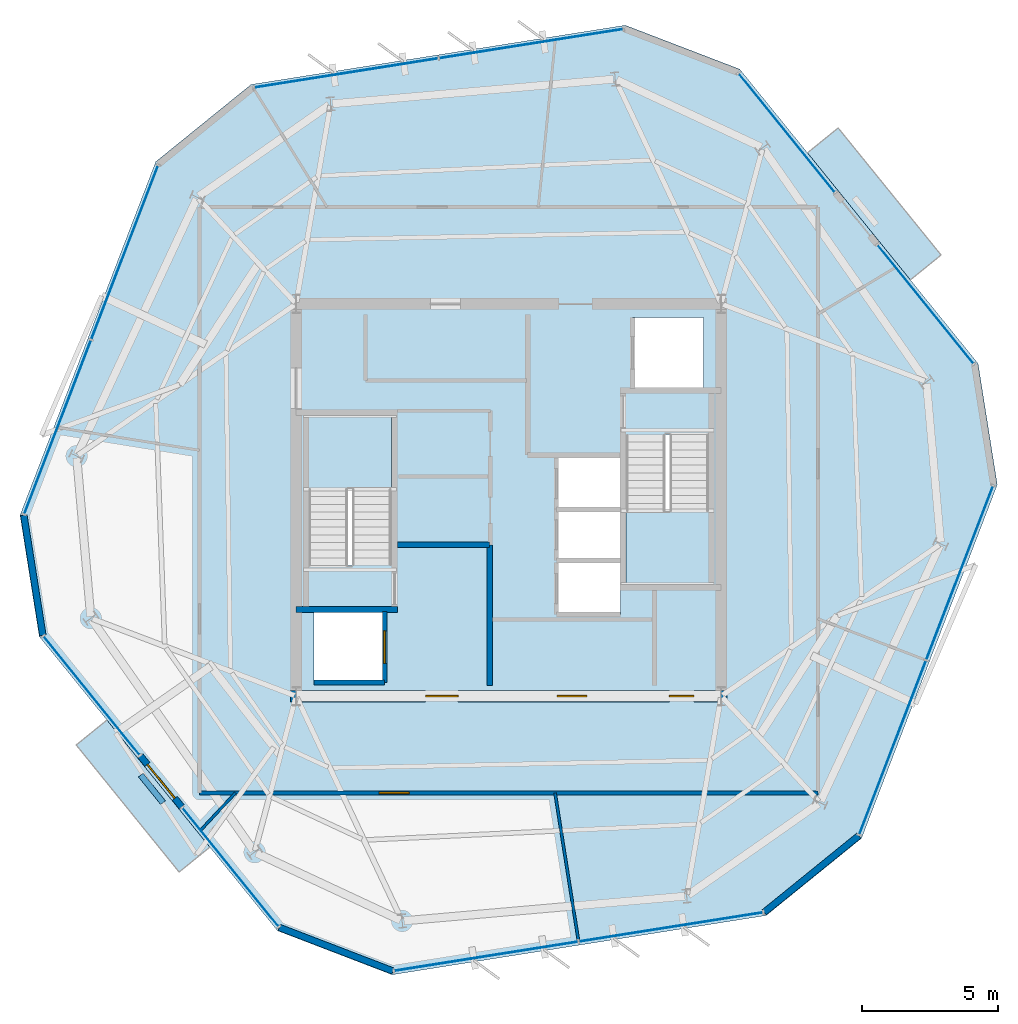
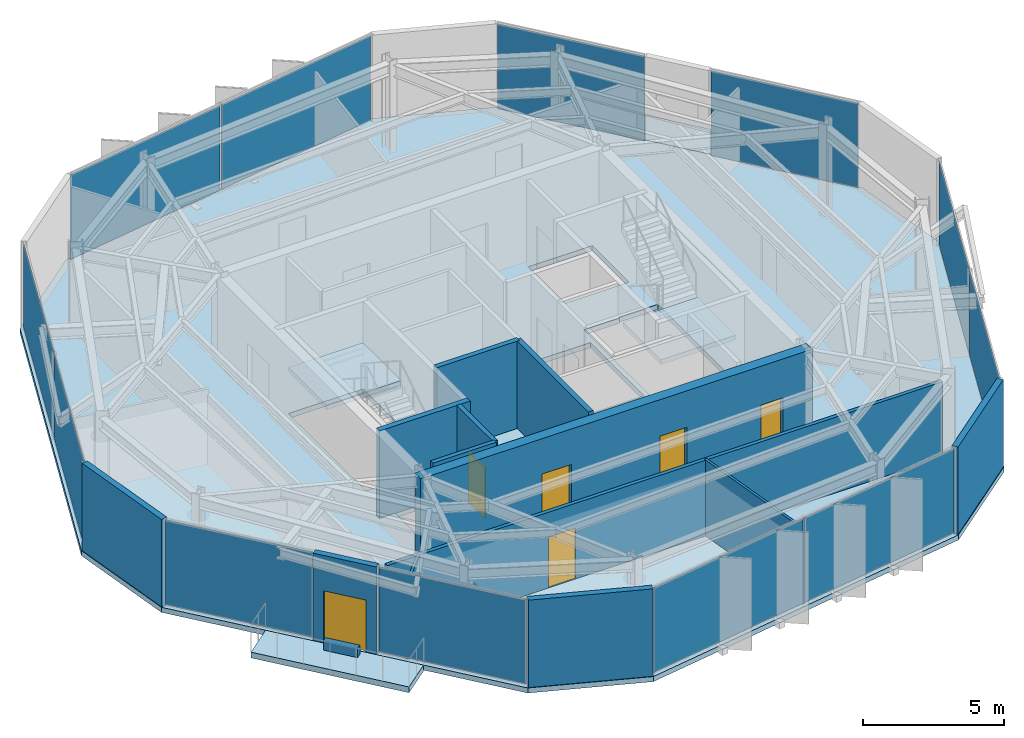
# One storey, part 6 of 10: 14 walls, 12 plates, 6 doors, 5 slabs, 6 openings, 10 elements without a shape of their own.
"""IFC4 building model written with IfcOpenShell, lengths in metres."""

from ifc_helpers import new_model, si_unit, direction, frame, frame_2d, origin, origin_2d, place, context, subcontext, project, spatial, polyline, rectangle, outline, extrude, material, layer, layer_set, type_object, element, fill, aggregate, save


model = new_model("IFC4")

# Units and contexts
model_context = context("Model", 3, precision=1e-05, world=origin(), true_north=direction((0.0, 1.0)))
body_context = subcontext(model_context, "Body", "Model", "MODEL_VIEW")
ifc_project = project(units=[si_unit("LENGTHUNIT", "METRE"), si_unit("AREAUNIT", "SQUARE_METRE"), si_unit("VOLUMEUNIT", "CUBIC_METRE"), si_unit("PLANEANGLEUNIT", "RADIAN"), si_unit("MASSUNIT", "GRAM", prefix="KILO")], contexts=[model_context])

# Site, building, storey
site_placement = place(None, origin())
site = spatial("IfcSite", under=ifc_project, at=site_placement, CompositionType="ELEMENT")
building_placement = place(site_placement, origin())
building = spatial("IfcBuilding", under=site, at=building_placement, Name="Kranzbogen Civic Tower", CompositionType="ELEMENT")
storey_placement = place(building_placement, frame((0.0, 0.0, 302.199951171875)))
storey = spatial("IfcBuildingStorey", under=building, at=storey_placement, Name="L73", CompositionType="ELEMENT", Elevation=302.199951171875)

# Slab
ifc_material_1 = material(Name="Concrete C40/50", Category="concrete")
ifc_layer_1 = layer(ifc_material_1, 0.219970703125, Name="Concrete C40/50")
ifc_layer_set_1 = layer_set([ifc_layer_1], Name="Concrete C40/50")
slab_type_1 = type_object("IfcSlabType", Name="Composite Upper Tower Floor Slab 220 mm", PredefinedType="FLOOR", material=ifc_layer_set_1)
slab_1_placement = place(storey_placement, frame((0.0, 0.0, -0.219970703125)))
element("IfcSlab", 1, at=slab_1_placement, inside=storey, type_object=slab_type_1, Name="L73 tower floor slab", PredefinedType="FLOOR", context=body_context, shape_type="SweptSolid", body=[
    extrude(outline(polyline([(29.279052734375, 42.425048828125), (15.5458984375, 40.25), (12.049072265625, 37.41796875), (7.06591796875, 24.43798828125), (7.77001953125, 19.992919921875), (16.52001953125, 9.18701171875), (20.720947265625, 7.574951171875), (34.4541015625, 9.75), (37.950927734375, 12.58203125), (42.93408203125, 25.56201171875), (42.22998046875, 30.007080078125), (33.47998046875, 40.81298828125), (29.279052734375, 42.425048828125)]), holes=[polyline([(17.85009765625, 20.89990234375), (20.449951171875, 20.89990234375), (20.449951171875, 18.300048828125), (17.85009765625, 18.300048828125), (17.85009765625, 20.89990234375)]), polyline([(29.10009765625, 22.699951171875), (29.10009765625, 20.800048828125), (26.75, 20.800048828125), (26.75, 22.699951171875), (29.10009765625, 22.699951171875)]), polyline([(29.10009765625, 24.64990234375), (29.10009765625, 22.77490234375), (26.75, 22.77490234375), (26.75, 24.64990234375), (26.75, 24.675048828125), (26.75, 26.550048828125), (29.10009765625, 26.550048828125), (29.10009765625, 24.675048828125), (29.10009765625, 24.64990234375)]), polyline([(29.300048828125, 27.340087890625), (30.75, 27.340087890625), (30.75, 27.39990234375), (32.35009765625, 27.39990234375), (32.35009765625, 21.89990234375), (29.300048828125, 21.89990234375), (29.300048828125, 27.340087890625)]), polyline([(20.699951171875, 22.659912109375), (19.25, 22.659912109375), (19.25, 22.60009765625), (17.64990234375, 22.60009765625), (17.64990234375, 28.10009765625), (20.699951171875, 28.10009765625), (20.699951171875, 22.659912109375)]), polyline([(32.14990234375, 31.699951171875), (32.14990234375, 29.10009765625), (29.550048828125, 29.10009765625), (29.550048828125, 31.699951171875), (32.14990234375, 31.699951171875)])]), origin(), (0.0, 0.0, 1.0), 0.219970703125),
])

# Curtain wall, plates
ifc_material_2 = material(Name="Pale Anodised Aluminium", Category="aluminium")
ifc_layer_2 = layer(ifc_material_2, 0.219970703125, Name="Pale Anodised Aluminium")
ifc_layer_set_2 = layer_set([ifc_layer_2], Name="Pale Anodised Aluminium")
curtain_wall_type = type_object("IfcCurtainWallType", Name="Zone 4 Stick Curtain Wall System CW-05", PredefinedType="USERDEFINED", material=ifc_layer_set_2)
curtain_wall_1_placement = place(storey_placement, origin())
curtain_wall_1 = element("IfcCurtainWall", 2, at=curtain_wall_1_placement, inside=storey, type_object=curtain_wall_type, Name="L73 curtain wall CW-L73-F1", ObjectType="STICK CURTAIN WALL", PredefinedType="USERDEFINED")
ifc_material_3 = material(Name="Low-E Triple Glazing Glass", Category="glass")
ifc_layer_3 = layer(ifc_material_3, 0.028076171875, Name="Low-E Triple Glazing Glass")
ifc_layer_set_3 = layer_set([ifc_layer_3], Name="Low-E Triple Glazing Glass")
plate_type = type_object("IfcPlateType", Name="Insulated Low-E Glazing Panel 28 mm", PredefinedType="CURTAIN_PANEL", material=ifc_layer_set_3)
plate_1_placement = place(storey_placement, frame((25.82470703125, 41.7470703125, 0.06005859375), z_axis=(0.0, 0.0, 1.0), x_axis=(-0.987689979988, -0.156424113968, 0.0)))
plate_1 = element("IfcPlate", 3, at=plate_1_placement, type_object=plate_type, Name="CW-05 panel 1.1", PredefinedType="CURTAIN_PANEL", context=body_context, shape_type="SweptSolid", body=[
    extrude(rectangle(XDim=6.807861328125, YDim=0.028076171875, at=origin_2d()), origin(), (0.0, 0.0, 1.0), 3.659912109375),
])
plate_2_placement = place(storey_placement, frame((19.041259765625, 40.6728515625, 0.06005859375), z_axis=(0.0, 0.0, 1.0), x_axis=(-0.987689979988, -0.156424113968, 0.0)))
plate_2 = element("IfcPlate", 4, at=plate_2_placement, type_object=plate_type, Name="CW-05 panel 2.1", PredefinedType="CURTAIN_PANEL", context=body_context, shape_type="SweptSolid", body=[
    extrude(rectangle(XDim=6.807861328125, YDim=0.028076171875, at=origin_2d()), origin(), (0.0, 0.0, 1.0), 3.659912109375),
])
aggregate(curtain_wall_1, [plate_1, plate_2])

curtain_wall_2_placement = place(storey_placement, origin())
curtain_wall_2 = element("IfcCurtainWall", 5, at=curtain_wall_2_placement, inside=storey, type_object=curtain_wall_type, Name="L73 curtain wall CW-L73-F2", ObjectType="STICK CURTAIN WALL", PredefinedType="USERDEFINED")
plate_3_placement = place(storey_placement, frame((10.90869140625, 34.087158203125, 0.06005859375), z_axis=(0.0, 0.0, 1.0), x_axis=(-0.358381538796, -0.933575209959, 0.0)))
plate_3 = element("IfcPlate", 6, at=plate_3_placement, type_object=plate_type, Name="CW-05 panel 1.1", PredefinedType="CURTAIN_PANEL", context=body_context, shape_type="SweptSolid", body=[
    extrude(rectangle(XDim=6.8076171875, YDim=0.028076171875, at=origin_2d()), origin(), (0.0, 0.0, 1.0), 3.659912109375),
])
plate_4_placement = place(storey_placement, frame((8.447265625, 27.67578125, 0.06005859375), z_axis=(0.0, 0.0, 1.0), x_axis=(-0.358381538796, -0.933575209959, 0.0)))
plate_4 = element("IfcPlate", 7, at=plate_4_placement, type_object=plate_type, Name="CW-05 panel 2.1", PredefinedType="CURTAIN_PANEL", context=body_context, shape_type="SweptSolid", body=[
    extrude(rectangle(XDim=6.8076171875, YDim=0.028076171875, at=origin_2d()), origin(), (0.0, 0.0, 1.0), 3.659912109375),
])
aggregate(curtain_wall_2, [plate_3, plate_4])

# Curtain wall, plate
curtain_wall_3_placement = place(storey_placement, origin())
curtain_wall_3 = element("IfcCurtainWall", 8, at=curtain_wall_3_placement, inside=storey, type_object=curtain_wall_type, Name="L73 curtain wall CW-L73-F3-S1", ObjectType="STICK CURTAIN WALL", PredefinedType="USERDEFINED")
plate_5_placement = place(storey_placement, frame((9.696533203125, 17.818115234375, 0.06005859375), z_axis=(0.0, 0.0, 1.0), x_axis=(0.62924367077, -0.777208082045, 0.0)))
plate_5 = element("IfcPlate", 9, at=plate_5_placement, type_object=plate_type, Name="CW-05 panel 1.1", PredefinedType="CURTAIN_PANEL", context=body_context, shape_type="SweptSolid", body=[
    extrude(rectangle(XDim=5.577392578125, YDim=0.028076171875, at=origin_2d()), origin(), (0.0, 0.0, 1.0), 3.659912109375),
])
aggregate(curtain_wall_3, [plate_5])

curtain_wall_4_placement = place(storey_placement, origin())
curtain_wall_4 = element("IfcCurtainWall", 10, at=curtain_wall_4_placement, inside=storey, type_object=curtain_wall_type, Name="L73 curtain wall CW-L73-F3-S2", ObjectType="STICK CURTAIN WALL", PredefinedType="USERDEFINED")
plate_6_placement = place(storey_placement, frame((14.79296875, 11.5244140625, 0.06005859375), z_axis=(0.0, 0.0, 1.0), x_axis=(0.62926385036, -0.777191743799, 0.0)))
plate_6 = element("IfcPlate", 11, at=plate_6_placement, type_object=plate_type, Name="CW-05 panel 1.1", PredefinedType="CURTAIN_PANEL", context=body_context, shape_type="SweptSolid", body=[
    extrude(rectangle(XDim=5.57861328125, YDim=0.028076171875, at=origin_2d()), origin(), (0.0, 0.0, 1.0), 3.659912109375),
])
aggregate(curtain_wall_4, [plate_6])

# Curtain wall, plates
curtain_wall_5_placement = place(storey_placement, origin())
curtain_wall_5 = element("IfcCurtainWall", 12, at=curtain_wall_5_placement, inside=storey, type_object=curtain_wall_type, Name="L73 curtain wall CW-L73-F4", ObjectType="STICK CURTAIN WALL", PredefinedType="USERDEFINED")
plate_7_placement = place(storey_placement, frame((24.17529296875, 8.2529296875, 0.06005859375), z_axis=(0.0, 0.0, 1.0), x_axis=(0.987689979988, 0.156424113968, 0.0)))
plate_7 = element("IfcPlate", 13, at=plate_7_placement, type_object=plate_type, Name="CW-05 panel 1.1", PredefinedType="CURTAIN_PANEL", context=body_context, shape_type="SweptSolid", body=[
    extrude(rectangle(XDim=6.807861328125, YDim=0.028076171875, at=origin_2d()), origin(), (0.0, 0.0, 1.0), 3.659912109375),
])
plate_8_placement = place(storey_placement, frame((30.958740234375, 9.3271484375, 0.06005859375), z_axis=(0.0, 0.0, 1.0), x_axis=(0.987689979988, 0.156424113968, 0.0)))
plate_8 = element("IfcPlate", 14, at=plate_8_placement, type_object=plate_type, Name="CW-05 panel 2.1", PredefinedType="CURTAIN_PANEL", context=body_context, shape_type="SweptSolid", body=[
    extrude(rectangle(XDim=6.807861328125, YDim=0.028076171875, at=origin_2d()), origin(), (0.0, 0.0, 1.0), 3.659912109375),
])
aggregate(curtain_wall_5, [plate_7, plate_8])

curtain_wall_6_placement = place(storey_placement, origin())
curtain_wall_6 = element("IfcCurtainWall", 15, at=curtain_wall_6_placement, inside=storey, type_object=curtain_wall_type, Name="L73 curtain wall CW-L73-F5", ObjectType="STICK CURTAIN WALL", PredefinedType="USERDEFINED")
plate_9_placement = place(storey_placement, frame((39.09130859375, 15.912841796875, 0.06005859375), z_axis=(0.0, 0.0, 1.0), x_axis=(0.358381538796, 0.933575209959, 0.0)))
plate_9 = element("IfcPlate", 16, at=plate_9_placement, type_object=plate_type, Name="CW-05 panel 1.1", PredefinedType="CURTAIN_PANEL", context=body_context, shape_type="SweptSolid", body=[
    extrude(rectangle(XDim=6.8076171875, YDim=0.028076171875, at=origin_2d()), origin(), (0.0, 0.0, 1.0), 3.659912109375),
])
plate_10_placement = place(storey_placement, frame((41.552734375, 22.32421875, 0.06005859375), z_axis=(0.0, 0.0, 1.0), x_axis=(0.358381538796, 0.933575209959, 0.0)))
plate_10 = element("IfcPlate", 17, at=plate_10_placement, type_object=plate_type, Name="CW-05 panel 2.1", PredefinedType="CURTAIN_PANEL", context=body_context, shape_type="SweptSolid", body=[
    extrude(rectangle(XDim=6.8076171875, YDim=0.028076171875, at=origin_2d()), origin(), (0.0, 0.0, 1.0), 3.659912109375),
])
aggregate(curtain_wall_6, [plate_9, plate_10])

# Curtain wall, plate
curtain_wall_7_placement = place(storey_placement, origin())
curtain_wall_7 = element("IfcCurtainWall", 18, at=curtain_wall_7_placement, inside=storey, type_object=curtain_wall_type, Name="L73 curtain wall CW-L73-F6-S1", ObjectType="STICK CURTAIN WALL", PredefinedType="USERDEFINED")
plate_11_placement = place(storey_placement, frame((40.302978515625, 32.181884765625, 0.06005859375), z_axis=(0.0, 0.0, 1.0), x_axis=(-0.629349677234, 0.777122245059, 0.0)))
plate_11 = element("IfcPlate", 19, at=plate_11_placement, type_object=plate_type, Name="CW-05 panel 1.1", PredefinedType="CURTAIN_PANEL", context=body_context, shape_type="SweptSolid", body=[
    extrude(rectangle(XDim=5.577880859375, YDim=0.028076171875, at=origin_2d()), origin(), (0.0, 0.0, 1.0), 3.659912109375),
])
aggregate(curtain_wall_7, [plate_11])

curtain_wall_8_placement = place(storey_placement, origin())
curtain_wall_8 = element("IfcCurtainWall", 20, at=curtain_wall_8_placement, inside=storey, type_object=curtain_wall_type, Name="L73 curtain wall CW-L73-F6-S2", ObjectType="STICK CURTAIN WALL", PredefinedType="USERDEFINED")
plate_12_placement = place(storey_placement, frame((35.20703125, 38.47607421875, 0.06005859375), z_axis=(0.0, 0.0, 1.0), x_axis=(-0.629349677234, 0.777122245059, 0.0)))
plate_12 = element("IfcPlate", 21, at=plate_12_placement, type_object=plate_type, Name="CW-05 panel 1.1", PredefinedType="CURTAIN_PANEL", context=body_context, shape_type="SweptSolid", body=[
    extrude(rectangle(XDim=5.577880859375, YDim=0.028076171875, at=origin_2d()), origin(), (0.0, 0.0, 1.0), 3.659912109375),
])
aggregate(curtain_wall_8, [plate_12])

# Stair, slab
ifc_material_4 = material(Name="Precast concrete C40/50", Category="concrete")
stair_type_1 = type_object("IfcStairType", Name="Tower Core Pressurized Dogleg Stair 1450", PredefinedType="HALF_TURN_STAIR", material=ifc_material_4)
stair_1_placement = place(storey_placement, origin())
stair_1 = element("IfcStair", 22, at=stair_1_placement, inside=storey, type_object=stair_type_1, Name="L73 Tower Core Pressurized Stair 1", PredefinedType="HALF_TURN_STAIR")
ifc_layer_4 = layer(ifc_material_4, 0.199951171875, Name="Precast concrete C40/50")
ifc_layer_set_4 = layer_set([ifc_layer_4], Name="Precast concrete C40/50")
slab_type_2 = type_object("IfcSlabType", Name="Precast Concrete Stair Landing Slab 200 mm", PredefinedType="LANDING", material=ifc_layer_set_4)
slab_2_placement = place(storey_placement, frame((0.0, 0.0, 1.800048828125)))
slab_2 = element("IfcSlab", 23, at=slab_2_placement, type_object=slab_type_2, Name="ST-T1 landing 1", PredefinedType="LANDING", context=body_context, shape_type="SweptSolid", body=[
    extrude(outline(polyline([(20.699951171875, 25.39990234375), (20.699951171875, 28.10009765625), (17.64990234375, 28.10009765625), (17.64990234375, 25.39990234375), (20.699951171875, 25.39990234375)])), origin(), (0.0, 0.0, 1.0), 0.199951171875),
])
aggregate(stair_1, [slab_2])

stair_type_2 = type_object("IfcStairType", Name="Tower Core Secondary Dogleg Stair 1450", PredefinedType="HALF_TURN_STAIR", material=ifc_material_4)
stair_2_placement = place(storey_placement, origin())
stair_2 = element("IfcStair", 24, at=stair_2_placement, inside=storey, type_object=stair_type_2, Name="L73 Tower Core Pressurized Stair 2", PredefinedType="HALF_TURN_STAIR")
slab_3_placement = place(storey_placement, frame((0.0, 0.0, 1.800048828125)))
slab_3 = element("IfcSlab", 25, at=slab_3_placement, type_object=slab_type_2, Name="ST-T2 landing 1", PredefinedType="LANDING", context=body_context, shape_type="SweptSolid", body=[
    extrude(outline(polyline([(29.300048828125, 24.60009765625), (29.300048828125, 21.89990234375), (32.35009765625, 21.89990234375), (32.35009765625, 24.60009765625), (29.300048828125, 24.60009765625)])), origin(), (0.0, 0.0, 1.0), 0.199951171875),
])
aggregate(stair_2, [slab_3])

# Slabs
ifc_layer_5 = layer(ifc_material_1, 0.25, Name="Concrete C40/50")
ifc_layer_set_5 = layer_set([ifc_layer_5], Name="Concrete C40/50")
slab_type_3 = type_object("IfcSlabType", Name="Tree Balcony Cantilevered Slab 250 mm", PredefinedType="FLOOR", material=ifc_layer_set_5)
slab_4_placement = place(storey_placement, frame((0.0, 0.0, -0.25)))
element("IfcSlab", 26, at=slab_4_placement, inside=storey, type_object=slab_type_3, Name="L73 cantilevered tree balcony L73-TB1", PredefinedType="FLOOR", context=body_context, shape_type="SweptSolid", body=[
    extrude(outline(polyline([(39.742919921875, 33.077880859375), (35.967041015625, 37.740966796875), (37.093994140625, 38.654052734375), (40.8701171875, 33.990966796875), (39.742919921875, 33.077880859375)])), origin(), (0.0, 0.0, 1.0), 0.25),
])
slab_5_placement = place(storey_placement, frame((0.0, 0.0, -0.25)))
element("IfcSlab", 27, at=slab_5_placement, inside=storey, type_object=slab_type_3, Name="L73 cantilevered tree balcony L73-TB2", PredefinedType="FLOOR", context=body_context, shape_type="SweptSolid", body=[
    extrude(outline(polyline([(10.257080078125, 16.922119140625), (14.032958984375, 12.259033203125), (12.906005859375, 11.345947265625), (9.1298828125, 16.009033203125), (10.257080078125, 16.922119140625)])), origin(), (0.0, 0.0, 1.0), 0.25),
])

# Wall, opening, door
ifc_material_5 = material(Name="Double-Stud Acoustic Gypsum Partition")
ifc_layer_6 = layer(ifc_material_5, 0.14990234375, Name="Double-Stud Acoustic Gypsum Partition")
ifc_layer_set_6 = layer_set([ifc_layer_6], Name="Double-Stud Acoustic Gypsum Partition")
wall_type_1 = type_object("IfcWallType", Name="Acoustic Corridor and Clinical Partition 150 mm", PredefinedType="PARTITIONING", material=ifc_layer_set_6)
wall_1_placement = place(storey_placement, frame((36.35009765625, 14.25, 0.0), z_axis=(0.0, 0.0, 1.0), x_axis=(-1.0, 0.0, 0.0)))
wall_1 = element("IfcWall", 28, at=wall_1_placement, inside=storey, type_object=wall_type_1, Name="L73 corridor partition 03", PredefinedType="PARTITIONING", context=body_context, shape_type="SweptSolid", body=[
    extrude(rectangle(XDim=22.7001953125, YDim=0.14990234375, at=frame_2d((11.35009765625, 0.0))), origin(), (0.0, 0.0, 1.0), 3.27001953125),
])
opening_1_placement = place(wall_1_placement, frame((15.0009765625, 0.0, 0.0)))
opening_1 = element("IfcOpeningElement", 29, at=opening_1_placement, cuts=wall_1, Name="Opening D-COR60", PredefinedType="OPENING", context=body_context, shape_type="SweptSolid", body=[
    extrude(rectangle(XDim=1.10009765625, YDim=2.199951171875, at=frame_2d((0.550048828125, 1.10009765625))), frame((0.0, 0.0849609375, 0.0), z_axis=(0.0, -1.0, 0.0), x_axis=(1.0, 0.0, 0.0)), (0.0, 0.0, 1.0), 0.169921875),
])
ifc_material_6 = material(Name="Oak Timber and Fire Core", Category="wood")
door_type_1 = type_object("IfcDoorType", Name="Corridor Acoustic Fire Door 1100x2200", OperationType="NOTDEFINED", PredefinedType="DOOR", material=ifc_material_6)
door_1_placement = place(opening_1_placement, origin())
door_1 = element("IfcDoor", 30, at=door_1_placement, inside=storey, type_object=door_type_1, Name="L73 Visitor Concierge Foyer door", OperationType="SINGLE_SWING_LEFT", OverallHeight=2.199951171875, OverallWidth=1.10009765625, PredefinedType="DOOR", context=body_context, shape_type="SweptSolid", body=[
    extrude(rectangle(XDim=1.10009765625, YDim=2.199951171875, at=frame_2d((0.550048828125, 1.10009765625))), frame((0.0, 0.02490234375, 0.0), z_axis=(0.0, -1.0, 0.0), x_axis=(1.0, 0.0, 0.0)), (0.0, 0.0, 1.0), 0.050048828125),
])
fill(opening_1, door_1)

# Wall
ifc_material_7 = material(Name="Architectural Precast Terracotta Concrete C40/50", Category="masonry")
ifc_layer_7 = layer(ifc_material_7, 0.219970703125, Name="Architectural Precast Terracotta Concrete C40/50")
ifc_layer_set_7 = layer_set([ifc_layer_7], Name="Architectural Precast Terracotta Concrete C40/50")
wall_type_2 = type_object("IfcWallType", Name="Architectural Tree Planter Kerb Wall 220 mm", PredefinedType="USERDEFINED", material=ifc_layer_set_7)
wall_2_placement = place(storey_placement, frame((11.4990234375, 14.904052734375, 0.0), z_axis=(0.0, 0.0, 1.0), x_axis=(0.629311706509, -0.777152993979, 0.0)))
element("IfcWall", 31, at=wall_2_placement, inside=storey, type_object=wall_type_2, Name="L73 landscaped tree balcony planter L73-TB2", ObjectType="PLANTER_WALL", PredefinedType="USERDEFINED", context=body_context, shape_type="SweptSolid", body=[
    extrude(rectangle(XDim=1.299560546875, YDim=0.219970703125, at=frame_2d((0.64990234375, 0.0))), origin(), (0.0, 0.0, 1.0), 0.400146484375),
])

# Wall, openings, doors
ifc_material_8 = material(Name="Concrete C45/55", Category="concrete")
ifc_layer_8 = layer(ifc_material_8, 0.419921875, Name="Concrete C45/55")
ifc_layer_set_8 = layer_set([ifc_layer_8], Name="Concrete C45/55")
wall_type_3 = type_object("IfcWallType", Name="Central Core Shear Wall 420 mm", PredefinedType="SHEAR", material=ifc_layer_set_8)
wall_3_placement = place(storey_placement, frame((16.989990234375, 17.800048828125, 0.0), z_axis=(0.0, 0.0, 1.0), x_axis=(1.0, 0.0, 0.0)))
wall_3 = element("IfcWall", 32, at=wall_3_placement, inside=storey, type_object=wall_type_3, Name="L73 central core South shear wall", PredefinedType="SHEAR", context=body_context, shape_type="SweptSolid", body=[
    extrude(rectangle(XDim=16.02001953125, YDim=0.419921875, at=frame_2d((8.010009765625, 0.0))), origin(), (0.0, 0.0, 1.0), 3.780029296875),
])
opening_2_placement = place(wall_3_placement, frame((4.9599609375, 0.0, 0.0)))
opening_2 = element("IfcOpeningElement", 33, at=opening_2_placement, cuts=wall_3, Name="Opening D-EX120", PredefinedType="OPENING", context=body_context, shape_type="SweptSolid", body=[
    extrude(rectangle(XDim=1.199951171875, YDim=2.25, at=frame_2d((0.60009765625, 1.125))), frame((0.0, 0.219970703125, 0.0), z_axis=(0.0, -1.0, 0.0), x_axis=(1.0, 0.0, 0.0)), (0.0, 0.0, 1.0), 0.43994140625),
])
opening_3_placement = place(wall_3_placement, frame((13.909912109375, 0.0, 0.0)))
opening_3 = element("IfcOpeningElement", 34, at=opening_3_placement, cuts=wall_3, Name="Opening D-WC90", PredefinedType="OPENING", context=body_context, shape_type="SweptSolid", body=[
    extrude(rectangle(XDim=0.89990234375, YDim=2.10009765625, at=frame_2d((0.449951171875, 1.050048828125))), frame((0.0, 0.219970703125, 0.0), z_axis=(0.0, -1.0, 0.0), x_axis=(1.0, 0.0, 0.0)), (0.0, 0.0, 1.0), 0.43994140625),
])
opening_4_placement = place(wall_3_placement, frame((9.784912109375, 0.0, 0.0)))
opening_4 = element("IfcOpeningElement", 35, at=opening_4_placement, cuts=wall_3, Name="Opening D-COR60", PredefinedType="OPENING", context=body_context, shape_type="SweptSolid", body=[
    extrude(rectangle(XDim=1.10009765625, YDim=2.199951171875, at=frame_2d((0.550048828125, 1.10009765625))), frame((0.0, 0.219970703125, 0.0), z_axis=(0.0, -1.0, 0.0), x_axis=(1.0, 0.0, 0.0)), (0.0, 0.0, 1.0), 0.43994140625),
])
door_2_placement = place(opening_4_placement, origin())
door_2 = element("IfcDoor", 36, at=door_2_placement, inside=storey, type_object=door_type_1, Name="L73 REC1 archive room door", OperationType="SINGLE_SWING_RIGHT", OverallHeight=2.199951171875, OverallWidth=1.10009765625, PredefinedType="DOOR", context=body_context, shape_type="SweptSolid", body=[
    extrude(rectangle(XDim=1.10009765625, YDim=2.199951171875, at=frame_2d((0.550048828125, 1.10009765625))), frame((0.0, 0.02490234375, 0.0), z_axis=(0.0, -1.0, 0.0), x_axis=(1.0, 0.0, 0.0)), (0.0, 0.0, 1.0), 0.050048828125),
])
fill(opening_4, door_2)
ifc_material_9 = material(Name="Steel S355", Category="steel")
door_type_2 = type_object("IfcDoorType", Name="Exit Passageway Fire Door 1200x2250", OperationType="NOTDEFINED", PredefinedType="DOOR", material=ifc_material_9)
door_3_placement = place(opening_2_placement, origin())
door_3 = element("IfcDoor", 37, at=door_3_placement, inside=storey, type_object=door_type_2, Name="L73 West firefighting lobby corridor door", OperationType="SINGLE_SWING_LEFT", OverallHeight=2.25, OverallWidth=1.199951171875, PredefinedType="DOOR", context=body_context, shape_type="SweptSolid", body=[
    extrude(rectangle(XDim=1.199951171875, YDim=2.25, at=frame_2d((0.60009765625, 1.125))), frame((0.0, 0.02490234375, 0.0), z_axis=(0.0, -1.0, 0.0), x_axis=(1.0, 0.0, 0.0)), (0.0, 0.0, 1.0), 0.050048828125),
])
fill(opening_2, door_3)
ifc_material_10 = material(Name="Moisture-Resistant Laminate")
door_type_3 = type_object("IfcDoorType", Name="Standard Restroom and Store Door 900x2100", OperationType="NOTDEFINED", PredefinedType="DOOR", material=ifc_material_10)
door_4_placement = place(opening_3_placement, origin())
door_4 = element("IfcDoor", 38, at=door_4_placement, inside=storey, type_object=door_type_3, Name="L73 East electrical riser access door", OperationType="SINGLE_SWING_LEFT", OverallHeight=2.10009765625, OverallWidth=0.89990234375, PredefinedType="DOOR", context=body_context, shape_type="SweptSolid", body=[
    extrude(rectangle(XDim=0.89990234375, YDim=2.10009765625, at=frame_2d((0.449951171875, 1.050048828125))), frame((0.0, 0.02490234375, 0.0), z_axis=(0.0, -1.0, 0.0), x_axis=(1.0, 0.0, 0.0)), (0.0, 0.0, 1.0), 0.050048828125),
])
fill(opening_3, door_4)

# Walls
ifc_layer_9 = layer(ifc_material_8, 0.219970703125, Name="Concrete C45/55")
ifc_layer_set_9 = layer_set([ifc_layer_9], Name="Concrete C45/55")
wall_type_4 = type_object("IfcWallType", Name="Core Internal Stair Structural Wall 220 mm", PredefinedType="SOLIDWALL", material=ifc_layer_set_9)
wall_4_placement = place(storey_placement, frame((17.199951171875, 20.989990234375, 0.0), z_axis=(0.0, 0.0, 1.0), x_axis=(1.0, 0.0, 0.0)))
element("IfcWall", 39, at=wall_4_placement, inside=storey, type_object=wall_type_4, Name="L73 ST-T1 South structural stair wall", PredefinedType="SOLIDWALL", context=body_context, shape_type="SweptSolid", body=[
    extrude(rectangle(XDim=3.719970703125, YDim=0.219970703125, at=frame_2d((1.85986328125, 0.0))), origin(), (0.0, 0.0, 1.0), 3.780029296875),
])
ifc_material_11 = material(Name="Demountable Aluminium and Gypsum Partition", Category="aluminium")
ifc_layer_10 = layer(ifc_material_11, 0.10009765625, Name="Demountable Aluminium and Gypsum Partition")
ifc_layer_set_10 = layer_set([ifc_layer_10], Name="Demountable Aluminium and Gypsum Partition")
wall_type_5 = type_object("IfcWallType", Name="Demountable Office Partition 100 mm", PredefinedType="MOVABLE", material=ifc_layer_set_10)
wall_5_placement = place(storey_placement, frame((14.971923828125, 14.25, 0.0), z_axis=(0.0, 0.0, 1.0), x_axis=(-0.681882363678, -0.731461852802, 0.0)))
element("IfcWall", 40, at=wall_5_placement, inside=storey, type_object=wall_type_5, Name="L73 radial room partition 03", PredefinedType="MOVABLE", context=body_context, shape_type="SweptSolid", body=[
    extrude(rectangle(XDim=1.8564453125, YDim=0.10009765625, at=frame_2d((0.92822265625, 0.0))), origin(), (0.0, 0.0, 1.0), 3.27001953125),
])
wall_6_placement = place(storey_placement, frame((26.702880859375, 14.25, 0.0), z_axis=(0.0, 0.0, 1.0), x_axis=(0.156399265173, -0.987693915063, 0.0)))
element("IfcWall", 41, at=wall_6_placement, inside=storey, type_object=wall_type_5, Name="L73 radial room partition 04", PredefinedType="MOVABLE", context=body_context, shape_type="SweptSolid", body=[
    extrude(rectangle(XDim=5.511962890625, YDim=0.10009765625, at=frame_2d((2.755859375, 0.0))), origin(), (0.0, 0.0, 1.0), 3.280029296875),
])
ifc_material_12 = material(Name="Gypsum Fireboard and Concrete Block", Category="concrete")
ifc_layer_11 = layer(ifc_material_12, 0.199951171875, Name="Gypsum Fireboard and Concrete Block")
ifc_layer_set_11 = layer_set([ifc_layer_11], Name="Gypsum Fireboard and Concrete Block")
wall_type_6 = type_object("IfcWallType", Name="Fire-Rated Exit Passageway and Stair Wall 200 mm", PredefinedType="PARTITIONING", material=ifc_layer_set_11)
wall_7_placement = place(storey_placement, frame((24.300048828125, 18.199951171875, 0.0), z_axis=(0.0, 0.0, 1.0), x_axis=(0.0, 1.0, 0.0)))
element("IfcWall", 42, at=wall_7_placement, inside=storey, type_object=wall_type_6, Name="L73 West firefighting lobby East wall", PredefinedType="PARTITIONING", context=body_context, shape_type="SweptSolid", body=[
    extrude(rectangle(XDim=5.150146484375, YDim=0.199951171875, at=frame_2d((2.5751953125, 0.0))), origin(), (0.0, 0.0, 1.0), 3.780029296875),
])
wall_8_placement = place(storey_placement, frame((20.919921875, 23.35009765625, 0.0), z_axis=(0.0, 0.0, 1.0), x_axis=(1.0, 0.0, 0.0)))
element("IfcWall", 43, at=wall_8_placement, inside=storey, type_object=wall_type_6, Name="L73 West firefighting lobby North wall", PredefinedType="PARTITIONING", context=body_context, shape_type="SweptSolid", body=[
    extrude(rectangle(XDim=3.380126953125, YDim=0.199951171875, at=frame_2d((1.68994140625, 0.0))), origin(), (0.0, 0.0, 1.0), 3.780029296875),
])

# Wall, opening, door
ifc_material_13 = material(Name="Gypsum Fireboard Shaftliner")
ifc_layer_12 = layer(ifc_material_13, 0.175048828125, Name="Gypsum Fireboard Shaftliner")
ifc_layer_set_12 = layer_set([ifc_layer_12], Name="Gypsum Fireboard Shaftliner")
wall_type_7 = type_object("IfcWallType", Name="Fire-Rated Lift and Service Shaft Wall 175 mm", PredefinedType="PARTITIONING", material=ifc_layer_set_12)
wall_9_placement = place(storey_placement, frame((20.449951171875, 18.300048828125, 0.0), z_axis=(0.0, 0.0, 1.0), x_axis=(0.0, 1.0, 0.0)))
wall_9 = element("IfcWall", 44, at=wall_9_placement, inside=storey, type_object=wall_type_7, Name="L73 lift FF-01 landing wall", PredefinedType="PARTITIONING", context=body_context, shape_type="SweptSolid", body=[
    extrude(rectangle(XDim=2.599853515625, YDim=0.175048828125, at=frame_2d((1.2998046875, 0.0))), origin(), (0.0, 0.0, 1.0), 3.780029296875),
])
opening_5_placement = place(wall_9_placement, frame((0.699951171875, 0.0, 0.0)))
opening_5 = element("IfcOpeningElement", 45, at=opening_5_placement, cuts=wall_9, Name="Opening LD-FF-01", PredefinedType="OPENING", context=body_context, shape_type="SweptSolid", body=[
    extrude(rectangle(XDim=1.199951171875, YDim=2.199951171875, at=frame_2d((0.60009765625, 1.10009765625))), frame((0.0, 0.09765625, 0.0), z_axis=(0.0, -1.0, 0.0), x_axis=(1.0, 0.0, 0.0)), (0.0, 0.0, 1.0), 0.195068359375),
])
door_type_4 = type_object("IfcDoorType", Name="Firefighting and Stretcher Lift Sliding Landing Door 1200x2200", OperationType="DOUBLE_DOOR_SLIDING", PredefinedType="DOOR", material=ifc_material_2)
door_5_placement = place(opening_5_placement, origin())
door_5 = element("IfcDoor", 46, at=door_5_placement, inside=storey, type_object=door_type_4, Name="L73 lift FF-01 sliding landing door", OperationType="DOUBLE_DOOR_SLIDING", OverallHeight=2.199951171875, OverallWidth=1.199951171875, PredefinedType="DOOR", context=body_context, shape_type="SweptSolid", body=[
    extrude(rectangle(XDim=1.199951171875, YDim=2.199951171875, at=frame_2d((0.60009765625, 1.10009765625))), frame((0.0, 0.02490234375, 0.0), z_axis=(0.0, -1.0, 0.0), x_axis=(1.0, 0.0, 0.0)), (0.0, 0.0, 1.0), 0.050048828125),
])
fill(opening_5, door_5)

# Walls
wall_10_placement = place(storey_placement, frame((17.85009765625, 18.300048828125, 0.0), z_axis=(0.0, 0.0, 1.0), x_axis=(1.0, 0.0, 0.0)))
element("IfcWall", 47, at=wall_10_placement, inside=storey, type_object=wall_type_7, Name="L73 lift FF-01 side wall", PredefinedType="PARTITIONING", context=body_context, shape_type="SweptSolid", body=[
    extrude(rectangle(XDim=2.599853515625, YDim=0.175048828125, at=frame_2d((1.2998046875, 0.0))), origin(), (0.0, 0.0, 1.0), 3.780029296875),
])
ifc_layer_13 = layer(ifc_material_2, 0.239990234375, Name="Pale Anodised Aluminium")
ifc_layer_set_13 = layer_set([ifc_layer_13], Name="Pale Anodised Aluminium")
wall_type_8 = type_object("IfcWallType", Name="Insulated Aluminium Facade Portal Wall 240 mm", PredefinedType="STANDARD", material=ifc_layer_set_13)
wall_11_placement = place(storey_placement, frame((7.2060546875, 24.44189453125, 0.0), z_axis=(0.0, 0.0, 1.0), x_axis=(0.156333211552, -0.987704372252, 0.0)))
element("IfcWall", 48, at=wall_11_placement, inside=storey, type_object=wall_type_8, Name="L73 chamfered corner facade spandrel 2", PredefinedType="STANDARD", context=body_context, shape_type="SweptSolid", body=[
    extrude(rectangle(XDim=4.46484375, YDim=0.239990234375, at=frame_2d((2.232421875, 0.0))), origin(), (0.0, 0.0, 1.0), 3.780029296875),
])

# Wall, opening, door
wall_12_placement = place(storey_placement, frame((11.489013671875, 15.60400390625, 0.0), z_axis=(0.0, 0.0, 1.0), x_axis=(0.629508336797, -0.776993728355, 0.0)))
wall_12 = element("IfcWall", 49, at=wall_12_placement, inside=storey, type_object=wall_type_8, Name="L73 exterior entrance portal wall 1", PredefinedType="STANDARD", context=body_context, shape_type="SweptSolid", body=[
    extrude(rectangle(XDim=2.400146484375, YDim=0.239990234375, at=frame_2d((1.2001953125, 0.0))), origin(), (0.0, 0.0, 1.0), 3.780029296875),
])
opening_6_placement = place(wall_12_placement, frame((0.39990234375, 0.0, 0.0)))
opening_6 = element("IfcOpeningElement", 50, at=opening_6_placement, cuts=wall_12, Name="Opening D-TER", PredefinedType="OPENING", context=body_context, shape_type="SweptSolid", body=[
    extrude(rectangle(XDim=1.60009765625, YDim=2.25, at=frame_2d((0.800048828125, 1.125))), frame((0.0, 0.1298828125, 0.0), z_axis=(0.0, -1.0, 0.0), x_axis=(1.0, 0.0, 0.0)), (0.0, 0.0, 1.0), 0.260009765625),
])
ifc_material_14 = material(Name="Anodised Bronze and Triple Glass", Category="glass")
door_type_5 = type_object("IfcDoorType", Name="Glazed Terrace and Balcony Double Door 1600x2250", OperationType="DOUBLE_DOOR_SINGLE_SWING", PredefinedType="DOOR", material=ifc_material_14)
door_6_placement = place(opening_6_placement, frame((1.60009765625, 0.0, 0.0), z_axis=(0.0, 0.0, 1.0), x_axis=(-1.0, 0.0, 0.0)))
door_6 = element("IfcDoor", 51, at=door_6_placement, inside=storey, type_object=door_type_5, Name="L73 tree balcony access door L73-TB2", OperationType="DOUBLE_DOOR_SINGLE_SWING", OverallHeight=2.25, OverallWidth=1.60009765625, PredefinedType="DOOR", context=body_context, shape_type="SweptSolid", body=[
    extrude(rectangle(XDim=1.60009765625, YDim=2.25, at=frame_2d((0.800048828125, 1.125))), frame((0.0, 0.02490234375, 0.0), z_axis=(0.0, -1.0, 0.0), x_axis=(1.0, 0.0, 0.0)), (0.0, 0.0, 1.0), 0.050048828125),
])
fill(opening_6, door_6)

# Walls
wall_13_placement = place(storey_placement, frame((16.5859375, 9.31005859375, 0.0), z_axis=(0.0, 0.0, 1.0), x_axis=(0.933641283133, -0.358209372336, 0.0)))
element("IfcWall", 52, at=wall_13_placement, inside=storey, type_object=wall_type_8, Name="L73 chamfered corner facade spandrel 3", PredefinedType="STANDARD", context=body_context, shape_type="SweptSolid", body=[
    extrude(rectangle(XDim=4.464111328125, YDim=0.239990234375, at=frame_2d((2.23193359375, 0.0))), origin(), (0.0, 0.0, 1.0), 3.780029296875),
])
wall_14_placement = place(storey_placement, frame((34.3798828125, 9.868896484375, 0.0), z_axis=(0.0, 0.0, 1.0), x_axis=(0.777153187888, 0.629311467046, 0.0)))
element("IfcWall", 53, at=wall_14_placement, inside=storey, type_object=wall_type_8, Name="L73 chamfered corner facade spandrel 4", PredefinedType="STANDARD", context=body_context, shape_type="SweptSolid", body=[
    extrude(rectangle(XDim=4.46533203125, YDim=0.239990234375, at=frame_2d((2.232666015625, 0.0))), origin(), (0.0, 0.0, 1.0), 3.780029296875),
])

save(model, "model.ifc")
